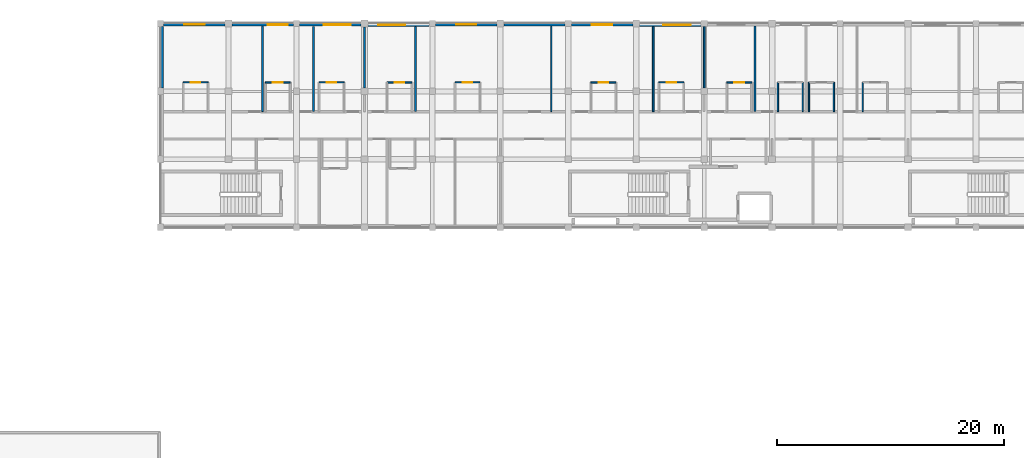
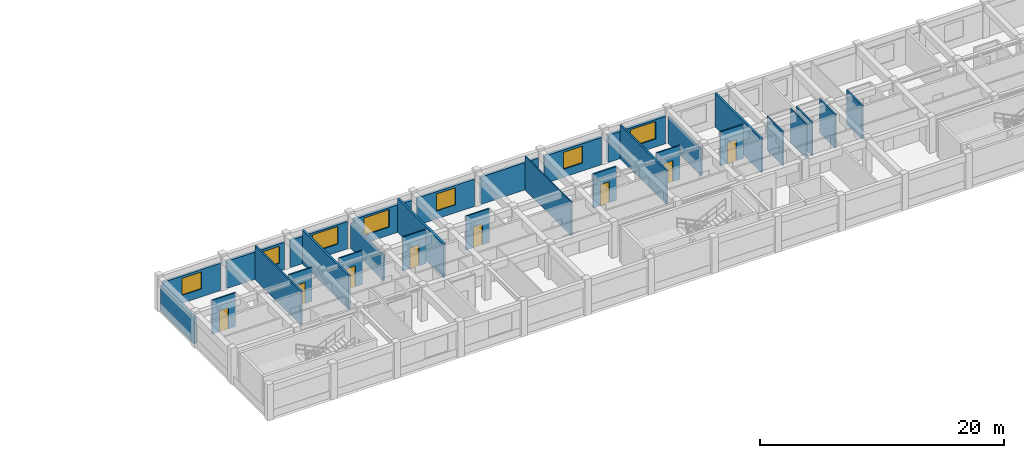
# One storey, part 10 of 25: 30 walls, 8 doors, 7 windows, 15 openings.
"""IFC4 building model written with IfcOpenShell, lengths in metres."""

from ifc_helpers import new_model, si_unit, direction, frame, frame_2d, origin, place, context, subcontext, project, spatial, rectangle, extrude, material, layer, layer_set, type_object, element, fill, save


model = new_model("IFC4")

# Units and contexts
model_context = context("Model", 3, precision=1e-05, world=origin(), true_north=direction((0.0, 1.0)))
body_context = subcontext(model_context, "Body", "Model", "MODEL_VIEW")
ifc_project = project(units=[si_unit("LENGTHUNIT", "METRE"), si_unit("AREAUNIT", "SQUARE_METRE"), si_unit("VOLUMEUNIT", "CUBIC_METRE"), si_unit("PLANEANGLEUNIT", "RADIAN"), si_unit("MASSUNIT", "GRAM", prefix="KILO"), si_unit("THERMODYNAMICTEMPERATUREUNIT", "KELVIN"), si_unit("POWERUNIT", "WATT")], contexts=[model_context])

# Site, building, storey
site_placement = place(None, origin())
site = spatial("IfcSite", under=ifc_project, at=site_placement, CompositionType="ELEMENT")
building_placement = place(site_placement, origin())
building = spatial("IfcBuilding", under=site, at=building_placement, Name="Phaisarnlok Congress Hotel", CompositionType="ELEMENT")
storey_placement = place(building_placement, frame((0.0, 0.0, 24.60009765625)))
storey = spatial("IfcBuildingStorey", under=building, at=storey_placement, Name="L05", CompositionType="ELEMENT", Elevation=24.60009765625)

# Wall, opening, window
ifc_material_1 = material(Name="Concrete C40/50", Category="concrete")
ifc_layer_1 = layer(ifc_material_1, 0.2099609375, Name="Concrete C40/50")
ifc_layer_set_1 = layer_set([ifc_layer_1], Name="Concrete C40/50")
wall_type_1 = type_object("IfcWallType", Name="WL-EXT-210", PredefinedType="SOLIDWALL", material=ifc_layer_set_1)
wall_1_placement = place(storey_placement, frame((95.695068359375, 125.89501953125, 0.0), z_axis=(0.0, 0.0, 1.0), x_axis=(-1.0, 0.0, 0.0)))
wall_1 = element("IfcWall", 1, at=wall_1_placement, inside=storey, type_object=wall_type_1, Name="Exterior wall EW-07 (L05)", PredefinedType="SOLIDWALL", context=body_context, shape_type="SweptSolid", body=[
    extrude(rectangle(XDim=5.4150390625, YDim=0.2099609375, at=frame_2d((2.70751953125, 0.0))), origin(), (0.0, 0.0, 1.0), 2.72998046875),
])
opening_1_placement = place(wall_1_placement, frame((1.806884765625, 0.0, 0.800048828125)))
opening_1 = element("IfcOpeningElement", 2, at=opening_1_placement, cuts=wall_1, Name="Opening W-10", PredefinedType="OPENING", context=body_context, shape_type="SweptSolid", body=[
    extrude(rectangle(XDim=1.800048828125, YDim=1.699951171875, at=frame_2d((0.89990234375, 0.85009765625))), frame((0.0, 0.114990234375, 0.0), z_axis=(0.0, -1.0, 0.0), x_axis=(1.0, 0.0, 0.0)), (0.0, 0.0, 1.0), 0.22998046875),
])
ifc_material_2 = material(Name="Thermally Broken Aluminium & Low-E Double Glazing", Category="aluminium")
window_type_1 = type_object("IfcWindowType", Name="WIN-POD-1800", PartitioningType="SINGLE_PANEL", PredefinedType="WINDOW", material=ifc_material_2)
window_1_placement = place(opening_1_placement, origin())
window_1 = element("IfcWindow", 3, at=window_1_placement, inside=storey, type_object=window_type_1, Name="Guestroom window W-10 (L05)", OverallHeight=1.699951171875, OverallWidth=1.800048828125, PartitioningType="SINGLE_PANEL", PredefinedType="WINDOW", context=body_context, shape_type="SweptSolid", body=[
    extrude(rectangle(XDim=1.800048828125, YDim=1.699951171875, at=frame_2d((0.89990234375, 0.85009765625))), frame((0.0, 0.030029296875, 0.0), z_axis=(0.0, -1.0, 0.0), x_axis=(1.0, 0.0, 0.0)), (0.0, 0.0, 1.0), 0.06005859375),
])
fill(opening_1, window_1)

wall_2_placement = place(storey_placement, frame((71.695068359375, 125.89501953125, 0.0), z_axis=(0.0, 0.0, 1.0), x_axis=(-1.0, 0.0, 0.0)))
wall_2 = element("IfcWall", 4, at=wall_2_placement, inside=storey, type_object=wall_type_1, Name="Exterior wall EW-07 (L05)", PredefinedType="SOLIDWALL", context=body_context, shape_type="SweptSolid", body=[
    extrude(rectangle(XDim=5.4150390625, YDim=0.2099609375, at=frame_2d((2.70751953125, 0.0))), origin(), (0.0, 0.0, 1.0), 2.72998046875),
])
opening_2_placement = place(wall_2_placement, frame((1.806884765625, 0.0, 0.800048828125)))
opening_2 = element("IfcOpeningElement", 5, at=opening_2_placement, cuts=wall_2, Name="Opening W-10", PredefinedType="OPENING", context=body_context, shape_type="SweptSolid", body=[
    extrude(rectangle(XDim=1.800048828125, YDim=1.699951171875, at=frame_2d((0.89990234375, 0.85009765625))), frame((0.0, 0.114990234375, 0.0), z_axis=(0.0, -1.0, 0.0), x_axis=(1.0, 0.0, 0.0)), (0.0, 0.0, 1.0), 0.22998046875),
])
window_2_placement = place(opening_2_placement, origin())
window_2 = element("IfcWindow", 6, at=window_2_placement, inside=storey, type_object=window_type_1, Name="Guestroom window W-10 (L05)", OverallHeight=1.699951171875, OverallWidth=1.800048828125, PartitioningType="SINGLE_PANEL", PredefinedType="WINDOW", context=body_context, shape_type="SweptSolid", body=[
    extrude(rectangle(XDim=1.800048828125, YDim=1.699951171875, at=frame_2d((0.89990234375, 0.85009765625))), frame((0.0, 0.030029296875, 0.0), z_axis=(0.0, -1.0, 0.0), x_axis=(1.0, 0.0, 0.0)), (0.0, 0.0, 1.0), 0.06005859375),
])
fill(opening_2, window_2)

# Wall
ifc_layer_2 = layer(ifc_material_1, 0.22998046875, Name="Concrete C40/50")
ifc_layer_set_2 = layer_set([ifc_layer_2], Name="Concrete C40/50")
wall_type_2 = type_object("IfcWallType", Name="WL-EXT-230", PredefinedType="SOLIDWALL", material=ifc_layer_set_2)
wall_3_placement = place(storey_placement, frame((101.719970703125, 125.885009765625, 0.0), z_axis=(0.0, 0.0, 1.0), x_axis=(-1.0, 0.0, 0.0)))
element("IfcWall", 7, at=wall_3_placement, inside=storey, type_object=wall_type_2, Name="Exterior wall EW-06 (L05)", PredefinedType="SOLIDWALL", context=body_context, shape_type="SweptSolid", body=[
    extrude(rectangle(XDim=5.4150390625, YDim=0.22998046875, at=frame_2d((2.70751953125, 0.0))), origin(), (0.0, 0.0, 1.0), 2.72998046875),
])

# Wall, opening, window
wall_4_placement = place(storey_placement, frame((77.719970703125, 125.885009765625, 0.0), z_axis=(0.0, 0.0, 1.0), x_axis=(-1.0, 0.0, 0.0)))
wall_4 = element("IfcWall", 8, at=wall_4_placement, inside=storey, type_object=wall_type_2, Name="Exterior wall EW-06 (L05)", PredefinedType="SOLIDWALL", context=body_context, shape_type="SweptSolid", body=[
    extrude(rectangle(XDim=5.4150390625, YDim=0.22998046875, at=frame_2d((2.70751953125, 0.0))), origin(), (0.0, 0.0, 1.0), 2.72998046875),
])
opening_3_placement = place(wall_4_placement, frame((0.469970703125, 0.0, 0.800048828125)))
opening_3 = element("IfcOpeningElement", 9, at=opening_3_placement, cuts=wall_4, Name="Opening W-10", PredefinedType="OPENING", context=body_context, shape_type="SweptSolid", body=[
    extrude(rectangle(XDim=1.800048828125, YDim=1.699951171875, at=frame_2d((0.89990234375, 0.85009765625))), frame((0.0, 0.125, 0.0), z_axis=(0.0, -1.0, 0.0), x_axis=(1.0, 0.0, 0.0)), (0.0, 0.0, 1.0), 0.25),
])
window_3_placement = place(opening_3_placement, origin())
window_3 = element("IfcWindow", 10, at=window_3_placement, inside=storey, type_object=window_type_1, Name="Guestroom window W-10 (L05)", OverallHeight=1.699951171875, OverallWidth=1.800048828125, PartitioningType="SINGLE_PANEL", PredefinedType="WINDOW", context=body_context, shape_type="SweptSolid", body=[
    extrude(rectangle(XDim=1.800048828125, YDim=1.699951171875, at=frame_2d((0.89990234375, 0.85009765625))), frame((0.0, 0.030029296875, 0.0), z_axis=(0.0, -1.0, 0.0), x_axis=(1.0, 0.0, 0.0)), (0.0, 0.0, 1.0), 0.06005859375),
])
fill(opening_3, window_3)

ifc_layer_3 = layer(ifc_material_1, 0.25, Name="Concrete C40/50")
ifc_layer_set_3 = layer_set([ifc_layer_3], Name="Concrete C40/50")
wall_type_3 = type_object("IfcWallType", Name="WL-EXT-250", PredefinedType="SOLIDWALL", material=ifc_layer_set_3)
wall_5_placement = place(storey_placement, frame((107.695068359375, 125.875, 0.0), z_axis=(0.0, 0.0, 1.0), x_axis=(-1.0, 0.0, 0.0)))
wall_5 = element("IfcWall", 11, at=wall_5_placement, inside=storey, type_object=wall_type_3, Name="Exterior wall EW-05 (L05)", PredefinedType="SOLIDWALL", context=body_context, shape_type="SweptSolid", body=[
    extrude(rectangle(XDim=5.4150390625, YDim=0.25, at=frame_2d((2.70751953125, 0.0))), origin(), (0.0, 0.0, 1.0), 2.72998046875),
])
opening_4_placement = place(wall_5_placement, frame((1.806884765625, 0.0, 0.800048828125)))
opening_4 = element("IfcOpeningElement", 12, at=opening_4_placement, cuts=wall_5, Name="Opening W-10", PredefinedType="OPENING", context=body_context, shape_type="SweptSolid", body=[
    extrude(rectangle(XDim=1.800048828125, YDim=1.699951171875, at=frame_2d((0.89990234375, 0.85009765625))), frame((0.0, 0.135009765625, 0.0), z_axis=(0.0, -1.0, 0.0), x_axis=(1.0, 0.0, 0.0)), (0.0, 0.0, 1.0), 0.27001953125),
])
window_4_placement = place(opening_4_placement, origin())
window_4 = element("IfcWindow", 13, at=window_4_placement, inside=storey, type_object=window_type_1, Name="Guestroom window W-10 (L05)", OverallHeight=1.699951171875, OverallWidth=1.800048828125, PartitioningType="SINGLE_PANEL", PredefinedType="WINDOW", context=body_context, shape_type="SweptSolid", body=[
    extrude(rectangle(XDim=1.800048828125, YDim=1.699951171875, at=frame_2d((0.89990234375, 0.85009765625))), frame((0.0, 0.030029296875, 0.0), z_axis=(0.0, -1.0, 0.0), x_axis=(1.0, 0.0, 0.0)), (0.0, 0.0, 1.0), 0.06005859375),
])
fill(opening_4, window_4)

wall_6_placement = place(storey_placement, frame((83.695068359375, 125.875, 0.0), z_axis=(0.0, 0.0, 1.0), x_axis=(-1.0, 0.0, 0.0)))
wall_6 = element("IfcWall", 14, at=wall_6_placement, inside=storey, type_object=wall_type_3, Name="Exterior wall EW-05 (L05)", PredefinedType="SOLIDWALL", context=body_context, shape_type="SweptSolid", body=[
    extrude(rectangle(XDim=5.4150390625, YDim=0.25, at=frame_2d((2.70751953125, 0.0))), origin(), (0.0, 0.0, 1.0), 2.72998046875),
])
opening_5_placement = place(wall_6_placement, frame((0.906982421875, 0.0, 0.800048828125)))
opening_5 = element("IfcOpeningElement", 15, at=opening_5_placement, cuts=wall_6, Name="Opening W-01", PredefinedType="OPENING", context=body_context, shape_type="SweptSolid", body=[
    extrude(rectangle(XDim=2.39990234375, YDim=1.75, at=frame_2d((1.199951171875, 0.875))), frame((0.0, 0.135009765625, 0.0), z_axis=(0.0, -1.0, 0.0), x_axis=(1.0, 0.0, 0.0)), (0.0, 0.0, 1.0), 0.27001953125),
])
window_type_2 = type_object("IfcWindowType", Name="WIN-HOTEL-2400", PartitioningType="SINGLE_PANEL", PredefinedType="WINDOW", material=ifc_material_2)
window_5_placement = place(opening_5_placement, origin())
window_5 = element("IfcWindow", 16, at=window_5_placement, inside=storey, type_object=window_type_2, Name="Guestroom window W-01 (L05)", OverallHeight=1.75, OverallWidth=2.39990234375, PartitioningType="SINGLE_PANEL", PredefinedType="WINDOW", context=body_context, shape_type="SweptSolid", body=[
    extrude(rectangle(XDim=2.39990234375, YDim=1.75, at=frame_2d((1.199951171875, 0.875))), frame((0.0, 0.030029296875, 0.0), z_axis=(0.0, -1.0, 0.0), x_axis=(1.0, 0.0, 0.0)), (0.0, 0.0, 1.0), 0.06005859375),
])
fill(opening_5, window_5)

ifc_layer_4 = layer(ifc_material_1, 0.27001953125, Name="Concrete C40/50")
ifc_layer_set_4 = layer_set([ifc_layer_4], Name="Concrete C40/50")
wall_type_4 = type_object("IfcWallType", Name="WL-EXT-270", PredefinedType="SOLIDWALL", material=ifc_layer_set_4)
wall_7_placement = place(storey_placement, frame((113.719970703125, 125.864990234375, 0.0), z_axis=(0.0, 0.0, 1.0), x_axis=(-1.0, 0.0, 0.0)))
wall_7 = element("IfcWall", 17, at=wall_7_placement, inside=storey, type_object=wall_type_4, Name="Exterior wall EW-04 (L05)", PredefinedType="SOLIDWALL", context=body_context, shape_type="SweptSolid", body=[
    extrude(rectangle(XDim=5.4150390625, YDim=0.27001953125, at=frame_2d((2.70751953125, 0.0))), origin(), (0.0, 0.0, 1.0), 2.72998046875),
])
opening_6_placement = place(wall_7_placement, frame((0.919921875, 0.0, 0.800048828125)))
opening_6 = element("IfcOpeningElement", 18, at=opening_6_placement, cuts=wall_7, Name="Opening W-01", PredefinedType="OPENING", context=body_context, shape_type="SweptSolid", body=[
    extrude(rectangle(XDim=2.39990234375, YDim=1.75, at=frame_2d((1.199951171875, 0.875))), frame((0.0, 0.14501953125, 0.0), z_axis=(0.0, -1.0, 0.0), x_axis=(1.0, 0.0, 0.0)), (0.0, 0.0, 1.0), 0.2900390625),
])
window_6_placement = place(opening_6_placement, origin())
window_6 = element("IfcWindow", 19, at=window_6_placement, inside=storey, type_object=window_type_2, Name="Guestroom window W-01 (L05)", OverallHeight=1.75, OverallWidth=2.39990234375, PartitioningType="SINGLE_PANEL", PredefinedType="WINDOW", context=body_context, shape_type="SweptSolid", body=[
    extrude(rectangle(XDim=2.39990234375, YDim=1.75, at=frame_2d((1.199951171875, 0.875))), frame((0.0, 0.030029296875, 0.0), z_axis=(0.0, -1.0, 0.0), x_axis=(1.0, 0.0, 0.0)), (0.0, 0.0, 1.0), 0.06005859375),
])
fill(opening_6, window_6)

wall_8_placement = place(storey_placement, frame((89.719970703125, 125.864990234375, 0.0), z_axis=(0.0, 0.0, 1.0), x_axis=(-1.0, 0.0, 0.0)))
wall_8 = element("IfcWall", 20, at=wall_8_placement, inside=storey, type_object=wall_type_4, Name="Exterior wall EW-04 (L05)", PredefinedType="SOLIDWALL", context=body_context, shape_type="SweptSolid", body=[
    extrude(rectangle(XDim=5.4150390625, YDim=0.27001953125, at=frame_2d((2.70751953125, 0.0))), origin(), (0.0, 0.0, 1.0), 2.72998046875),
])
opening_7_placement = place(wall_8_placement, frame((2.10791015625, 0.0, 0.800048828125)))
opening_7 = element("IfcOpeningElement", 21, at=opening_7_placement, cuts=wall_8, Name="Opening W-01", PredefinedType="OPENING", context=body_context, shape_type="SweptSolid", body=[
    extrude(rectangle(XDim=2.39990234375, YDim=1.75, at=frame_2d((1.199951171875, 0.875))), frame((0.0, 0.14501953125, 0.0), z_axis=(0.0, -1.0, 0.0), x_axis=(1.0, 0.0, 0.0)), (0.0, 0.0, 1.0), 0.2900390625),
])
window_7_placement = place(opening_7_placement, origin())
window_7 = element("IfcWindow", 22, at=window_7_placement, inside=storey, type_object=window_type_2, Name="Guestroom window W-01 (L05)", OverallHeight=1.75, OverallWidth=2.39990234375, PartitioningType="SINGLE_PANEL", PredefinedType="WINDOW", context=body_context, shape_type="SweptSolid", body=[
    extrude(rectangle(XDim=2.39990234375, YDim=1.75, at=frame_2d((1.199951171875, 0.875))), frame((0.0, 0.030029296875, 0.0), z_axis=(0.0, -1.0, 0.0), x_axis=(1.0, 0.0, 0.0)), (0.0, 0.0, 1.0), 0.06005859375),
])
fill(opening_7, window_7)

# Walls
wall_9_placement = place(storey_placement, frame((66.135009765625, 125.719970703125, 0.0), z_axis=(0.0, 0.0, 1.0), x_axis=(0.0, -1.0, 0.0)))
element("IfcWall", 23, at=wall_9_placement, inside=storey, type_object=wall_type_4, Name="Exterior wall EW-04 (L05)", PredefinedType="SOLIDWALL", context=body_context, shape_type="SweptSolid", body=[
    extrude(rectangle(XDim=5.43994140625, YDim=0.27001953125, at=frame_2d((2.719970703125, 0.0))), origin(), (0.0, 0.0, 1.0), 2.579833984375),
])
ifc_material_3 = material(Name="Service Riser Shaftwall Partition", Category="gypsum")
ifc_layer_5 = layer(ifc_material_3, 0.10498046875, Name="Service Riser Shaftwall Partition")
ifc_layer_set_5 = layer_set([ifc_layer_5], Name="Service Riser Shaftwall Partition")
wall_type_5 = type_object("IfcWallType", Name="WL-INT-105", PredefinedType="PARTITIONING", material=ifc_layer_set_5)
wall_10_placement = place(storey_placement, frame((100.5, 118.199951171875, 0.0), z_axis=(0.0, 0.0, 1.0), x_axis=(0.0, 1.0, 0.0)))
element("IfcWall", 24, at=wall_10_placement, inside=storey, type_object=wall_type_5, Name="Interior partition wall IW-08 (L05)", PredefinedType="PARTITIONING", context=body_context, shape_type="SweptSolid", body=[
    extrude(rectangle(XDim=7.56494140625, YDim=0.10498046875, at=frame_2d((3.782470703125, 0.0))), origin(), (0.0, 0.0, 1.0), 3.3798828125),
])
ifc_material_4 = material(Name="Lightweight Metal-Stud Gypsum Partition", Category="gypsum")
ifc_layer_6 = layer(ifc_material_4, 0.1201171875, Name="Lightweight Metal-Stud Gypsum Partition")
ifc_layer_set_6 = layer_set([ifc_layer_6], Name="Lightweight Metal-Stud Gypsum Partition")
wall_type_6 = type_object("IfcWallType", Name="WL-INT-120", PredefinedType="PARTITIONING", material=ifc_layer_set_6)
for number, where, z_axis, x_axis, name in (
    (25, (122.699951171875, 118.199951171875, 0.0), (0.0, 0.0, 1.0), (0.0, 1.0, 0.0), "Interior partition wall IW-07 (L05)"),
    (26, (123.25, 118.199951171875, 0.0), (0.0, 0.0, 1.0), (0.0, 1.0, 0.0), "Interior partition wall IW-07 (L05)"),
    (27, (125.449951171875, 118.199951171875, 0.0), (0.0, 0.0, 1.0), (0.0, 1.0, 0.0), "Interior partition wall IW-07 (L05)"),
    (28, (128.0, 118.199951171875, 0.0), (0.0, 0.0, 1.0), (0.0, 1.0, 0.0), "Interior partition wall IW-07 (L05)"),
):
    element("IfcWall", number, at=place(storey_placement, frame(where, z_axis=z_axis, x_axis=x_axis)), inside=storey, type_object=wall_type_6, Name=name, PredefinedType="PARTITIONING", context=body_context, shape_type="SweptSolid", body=[
        extrude(rectangle(XDim=2.60009765625, YDim=0.1201171875, at=frame_2d((1.300048828125, 0.0))), origin(), (0.0, 0.0, 1.0), 3.3798828125),
    ])

# Wall, opening, door
wall_11_placement = place(storey_placement, frame((68.0, 120.800048828125, 0.0), z_axis=(0.0, 0.0, 1.0), x_axis=(1.0, 0.0, 0.0)))
wall_11 = element("IfcWall", 29, at=wall_11_placement, inside=storey, type_object=wall_type_6, Name="Interior partition wall IW-07 (L05)", PredefinedType="PARTITIONING", context=body_context, shape_type="SweptSolid", body=[
    extrude(rectangle(XDim=2.199951171875, YDim=0.1201171875, at=frame_2d((1.10009765625, 0.0))), origin(), (0.0, 0.0, 1.0), 3.3798828125),
])
opening_8_placement = place(wall_11_placement, frame((0.675048828125, 0.0, 0.0)))
opening_8 = element("IfcOpeningElement", 30, at=opening_8_placement, cuts=wall_11, Name="Opening D-0147", PredefinedType="OPENING", context=body_context, shape_type="SweptSolid", body=[
    extrude(rectangle(XDim=0.85009765625, YDim=2.10009765625, at=frame_2d((0.425048828125, 1.050048828125))), frame((0.0, 0.070068359375, 0.0), z_axis=(0.0, -1.0, 0.0), x_axis=(1.0, 0.0, 0.0)), (0.0, 0.0, 1.0), 0.14013671875),
])
ifc_material_5 = material(Name="Moisture-Resistant Lacquered Timber", Category="wood")
door_type = type_object("IfcDoorType", Name="DR-BATH-850", OperationType="NOTDEFINED", PredefinedType="DOOR", material=ifc_material_5)
door_1_placement = place(opening_8_placement, origin())
door_1 = element("IfcDoor", 31, at=door_1_placement, inside=storey, type_object=door_type, Name="Interior door D-0147 (L05)", OperationType="SINGLE_SWING_LEFT", OverallHeight=2.10009765625, OverallWidth=0.85009765625, PredefinedType="DOOR", context=body_context, shape_type="SweptSolid", body=[
    extrude(rectangle(XDim=0.85009765625, YDim=2.10009765625, at=frame_2d((0.425048828125, 1.050048828125))), frame((0.0, 0.02490234375, 0.0), z_axis=(0.0, -1.0, 0.0), x_axis=(1.0, 0.0, 0.0)), (0.0, 0.0, 1.0), 0.050048828125),
])
fill(opening_8, door_1)

wall_12_placement = place(storey_placement, frame((80.0, 120.800048828125, 0.0), z_axis=(0.0, 0.0, 1.0), x_axis=(1.0, 0.0, 0.0)))
wall_12 = element("IfcWall", 32, at=wall_12_placement, inside=storey, type_object=wall_type_6, Name="Interior partition wall IW-07 (L05)", PredefinedType="PARTITIONING", context=body_context, shape_type="SweptSolid", body=[
    extrude(rectangle(XDim=2.199951171875, YDim=0.1201171875, at=frame_2d((1.10009765625, 0.0))), origin(), (0.0, 0.0, 1.0), 3.3798828125),
])
opening_9_placement = place(wall_12_placement, frame((0.675048828125, 0.0, 0.0)))
opening_9 = element("IfcOpeningElement", 33, at=opening_9_placement, cuts=wall_12, Name="Opening D-0151", PredefinedType="OPENING", context=body_context, shape_type="SweptSolid", body=[
    extrude(rectangle(XDim=0.85009765625, YDim=2.10009765625, at=frame_2d((0.425048828125, 1.050048828125))), frame((0.0, 0.070068359375, 0.0), z_axis=(0.0, -1.0, 0.0), x_axis=(1.0, 0.0, 0.0)), (0.0, 0.0, 1.0), 0.14013671875),
])
door_2_placement = place(opening_9_placement, origin())
door_2 = element("IfcDoor", 34, at=door_2_placement, inside=storey, type_object=door_type, Name="Interior door D-0151 (L05)", OperationType="SINGLE_SWING_LEFT", OverallHeight=2.10009765625, OverallWidth=0.85009765625, PredefinedType="DOOR", context=body_context, shape_type="SweptSolid", body=[
    extrude(rectangle(XDim=0.85009765625, YDim=2.10009765625, at=frame_2d((0.425048828125, 1.050048828125))), frame((0.0, 0.02490234375, 0.0), z_axis=(0.0, -1.0, 0.0), x_axis=(1.0, 0.0, 0.0)), (0.0, 0.0, 1.0), 0.050048828125),
])
fill(opening_9, door_2)

wall_13_placement = place(storey_placement, frame((92.0, 120.800048828125, 0.0), z_axis=(0.0, 0.0, 1.0), x_axis=(1.0, 0.0, 0.0)))
wall_13 = element("IfcWall", 35, at=wall_13_placement, inside=storey, type_object=wall_type_6, Name="Interior partition wall IW-07 (L05)", PredefinedType="PARTITIONING", context=body_context, shape_type="SweptSolid", body=[
    extrude(rectangle(XDim=2.199951171875, YDim=0.1201171875, at=frame_2d((1.10009765625, 0.0))), origin(), (0.0, 0.0, 1.0), 3.3798828125),
])
opening_10_placement = place(wall_13_placement, frame((0.675048828125, 0.0, 0.0)))
opening_10 = element("IfcOpeningElement", 36, at=opening_10_placement, cuts=wall_13, Name="Opening D-0155", PredefinedType="OPENING", context=body_context, shape_type="SweptSolid", body=[
    extrude(rectangle(XDim=0.85009765625, YDim=2.10009765625, at=frame_2d((0.425048828125, 1.050048828125))), frame((0.0, 0.070068359375, 0.0), z_axis=(0.0, -1.0, 0.0), x_axis=(1.0, 0.0, 0.0)), (0.0, 0.0, 1.0), 0.14013671875),
])
door_3_placement = place(opening_10_placement, origin())
door_3 = element("IfcDoor", 37, at=door_3_placement, inside=storey, type_object=door_type, Name="Interior door D-0155 (L05)", OperationType="SINGLE_SWING_LEFT", OverallHeight=2.10009765625, OverallWidth=0.85009765625, PredefinedType="DOOR", context=body_context, shape_type="SweptSolid", body=[
    extrude(rectangle(XDim=0.85009765625, YDim=2.10009765625, at=frame_2d((0.425048828125, 1.050048828125))), frame((0.0, 0.02490234375, 0.0), z_axis=(0.0, -1.0, 0.0), x_axis=(1.0, 0.0, 0.0)), (0.0, 0.0, 1.0), 0.050048828125),
])
fill(opening_10, door_3)

wall_14_placement = place(storey_placement, frame((110.0, 120.800048828125, 0.0), z_axis=(0.0, 0.0, 1.0), x_axis=(1.0, 0.0, 0.0)))
wall_14 = element("IfcWall", 38, at=wall_14_placement, inside=storey, type_object=wall_type_6, Name="Interior partition wall IW-07 (L05)", PredefinedType="PARTITIONING", context=body_context, shape_type="SweptSolid", body=[
    extrude(rectangle(XDim=2.199951171875, YDim=0.1201171875, at=frame_2d((1.10009765625, 0.0))), origin(), (0.0, 0.0, 1.0), 3.3798828125),
])
opening_11_placement = place(wall_14_placement, frame((0.675048828125, 0.0, 0.0)))
opening_11 = element("IfcOpeningElement", 39, at=opening_11_placement, cuts=wall_14, Name="Opening D-0159", PredefinedType="OPENING", context=body_context, shape_type="SweptSolid", body=[
    extrude(rectangle(XDim=0.85009765625, YDim=2.10009765625, at=frame_2d((0.425048828125, 1.050048828125))), frame((0.0, 0.070068359375, 0.0), z_axis=(0.0, -1.0, 0.0), x_axis=(1.0, 0.0, 0.0)), (0.0, 0.0, 1.0), 0.14013671875),
])
door_4_placement = place(opening_11_placement, origin())
door_4 = element("IfcDoor", 40, at=door_4_placement, inside=storey, type_object=door_type, Name="Interior door D-0159 (L05)", OperationType="SINGLE_SWING_LEFT", OverallHeight=2.10009765625, OverallWidth=0.85009765625, PredefinedType="DOOR", context=body_context, shape_type="SweptSolid", body=[
    extrude(rectangle(XDim=0.85009765625, YDim=2.10009765625, at=frame_2d((0.425048828125, 1.050048828125))), frame((0.0, 0.02490234375, 0.0), z_axis=(0.0, -1.0, 0.0), x_axis=(1.0, 0.0, 0.0)), (0.0, 0.0, 1.0), 0.050048828125),
])
fill(opening_11, door_4)

# Wall
ifc_material_6 = material(Name="Moisture-Resistant Gypsum Partition", Category="gypsum")
ifc_layer_7 = layer(ifc_material_6, 0.135009765625, Name="Moisture-Resistant Gypsum Partition")
ifc_layer_set_7 = layer_set([ifc_layer_7], Name="Moisture-Resistant Gypsum Partition")
wall_type_7 = type_object("IfcWallType", Name="WL-INT-135", PredefinedType="PARTITIONING", material=ifc_layer_set_7)
wall_15_placement = place(storey_placement, frame((120.5, 118.199951171875, 0.0), z_axis=(0.0, 0.0, 1.0), x_axis=(0.0, 1.0, 0.0)))
element("IfcWall", 41, at=wall_15_placement, inside=storey, type_object=wall_type_7, Name="Interior partition wall IW-06 (L05)", PredefinedType="PARTITIONING", context=body_context, shape_type="SweptSolid", body=[
    extrude(rectangle(XDim=2.60009765625, YDim=0.135009765625, at=frame_2d((1.300048828125, 0.0))), origin(), (0.0, 0.0, 1.0), 3.3798828125),
])

# Wall, opening, door
wall_16_placement = place(storey_placement, frame((75.25, 120.800048828125, 0.0), z_axis=(0.0, 0.0, 1.0), x_axis=(1.0, 0.0, 0.0)))
wall_16 = element("IfcWall", 42, at=wall_16_placement, inside=storey, type_object=wall_type_7, Name="Interior partition wall IW-06 (L05)", PredefinedType="PARTITIONING", context=body_context, shape_type="SweptSolid", body=[
    extrude(rectangle(XDim=2.199951171875, YDim=0.135009765625, at=frame_2d((1.10009765625, 0.0))), origin(), (0.0, 0.0, 1.0), 3.3798828125),
])
opening_12_placement = place(wall_16_placement, frame((0.675048828125, 0.0, 0.0)))
opening_12 = element("IfcOpeningElement", 43, at=opening_12_placement, cuts=wall_16, Name="Opening D-0149", PredefinedType="OPENING", context=body_context, shape_type="SweptSolid", body=[
    extrude(rectangle(XDim=0.85009765625, YDim=2.10009765625, at=frame_2d((0.425048828125, 1.050048828125))), frame((0.0, 0.07763671875, 0.0), z_axis=(0.0, -1.0, 0.0), x_axis=(1.0, 0.0, 0.0)), (0.0, 0.0, 1.0), 0.155029296875),
])
door_5_placement = place(opening_12_placement, origin())
door_5 = element("IfcDoor", 44, at=door_5_placement, inside=storey, type_object=door_type, Name="Interior door D-0149 (L05)", OperationType="SINGLE_SWING_LEFT", OverallHeight=2.10009765625, OverallWidth=0.85009765625, PredefinedType="DOOR", context=body_context, shape_type="SweptSolid", body=[
    extrude(rectangle(XDim=0.85009765625, YDim=2.10009765625, at=frame_2d((0.425048828125, 1.050048828125))), frame((0.0, 0.02490234375, 0.0), z_axis=(0.0, -1.0, 0.0), x_axis=(1.0, 0.0, 0.0)), (0.0, 0.0, 1.0), 0.050048828125),
])
fill(opening_12, door_5)

wall_17_placement = place(storey_placement, frame((86.0, 120.800048828125, 0.0), z_axis=(0.0, 0.0, 1.0), x_axis=(1.0, 0.0, 0.0)))
wall_17 = element("IfcWall", 45, at=wall_17_placement, inside=storey, type_object=wall_type_7, Name="Interior partition wall IW-06 (L05)", PredefinedType="PARTITIONING", context=body_context, shape_type="SweptSolid", body=[
    extrude(rectangle(XDim=2.199951171875, YDim=0.135009765625, at=frame_2d((1.10009765625, 0.0))), origin(), (0.0, 0.0, 1.0), 3.3798828125),
])
opening_13_placement = place(wall_17_placement, frame((0.675048828125, 0.0, 0.0)))
opening_13 = element("IfcOpeningElement", 46, at=opening_13_placement, cuts=wall_17, Name="Opening D-0153", PredefinedType="OPENING", context=body_context, shape_type="SweptSolid", body=[
    extrude(rectangle(XDim=0.85009765625, YDim=2.10009765625, at=frame_2d((0.425048828125, 1.050048828125))), frame((0.0, 0.07763671875, 0.0), z_axis=(0.0, -1.0, 0.0), x_axis=(1.0, 0.0, 0.0)), (0.0, 0.0, 1.0), 0.155029296875),
])
door_6_placement = place(opening_13_placement, origin())
door_6 = element("IfcDoor", 47, at=door_6_placement, inside=storey, type_object=door_type, Name="Interior door D-0153 (L05)", OperationType="SINGLE_SWING_LEFT", OverallHeight=2.10009765625, OverallWidth=0.85009765625, PredefinedType="DOOR", context=body_context, shape_type="SweptSolid", body=[
    extrude(rectangle(XDim=0.85009765625, YDim=2.10009765625, at=frame_2d((0.425048828125, 1.050048828125))), frame((0.0, 0.02490234375, 0.0), z_axis=(0.0, -1.0, 0.0), x_axis=(1.0, 0.0, 0.0)), (0.0, 0.0, 1.0), 0.050048828125),
])
fill(opening_13, door_6)

wall_18_placement = place(storey_placement, frame((104.0, 120.800048828125, 0.0), z_axis=(0.0, 0.0, 1.0), x_axis=(1.0, 0.0, 0.0)))
wall_18 = element("IfcWall", 48, at=wall_18_placement, inside=storey, type_object=wall_type_7, Name="Interior partition wall IW-06 (L05)", PredefinedType="PARTITIONING", context=body_context, shape_type="SweptSolid", body=[
    extrude(rectangle(XDim=2.199951171875, YDim=0.135009765625, at=frame_2d((1.10009765625, 0.0))), origin(), (0.0, 0.0, 1.0), 3.3798828125),
])
opening_14_placement = place(wall_18_placement, frame((0.675048828125, 0.0, 0.0)))
opening_14 = element("IfcOpeningElement", 49, at=opening_14_placement, cuts=wall_18, Name="Opening D-0157", PredefinedType="OPENING", context=body_context, shape_type="SweptSolid", body=[
    extrude(rectangle(XDim=0.85009765625, YDim=2.10009765625, at=frame_2d((0.425048828125, 1.050048828125))), frame((0.0, 0.07763671875, 0.0), z_axis=(0.0, -1.0, 0.0), x_axis=(1.0, 0.0, 0.0)), (0.0, 0.0, 1.0), 0.155029296875),
])
door_7_placement = place(opening_14_placement, origin())
door_7 = element("IfcDoor", 50, at=door_7_placement, inside=storey, type_object=door_type, Name="Interior door D-0157 (L05)", OperationType="SINGLE_SWING_LEFT", OverallHeight=2.10009765625, OverallWidth=0.85009765625, PredefinedType="DOOR", context=body_context, shape_type="SweptSolid", body=[
    extrude(rectangle(XDim=0.85009765625, YDim=2.10009765625, at=frame_2d((0.425048828125, 1.050048828125))), frame((0.0, 0.02490234375, 0.0), z_axis=(0.0, -1.0, 0.0), x_axis=(1.0, 0.0, 0.0)), (0.0, 0.0, 1.0), 0.050048828125),
])
fill(opening_14, door_7)

wall_19_placement = place(storey_placement, frame((116.0, 120.800048828125, 0.0), z_axis=(0.0, 0.0, 1.0), x_axis=(1.0, 0.0, 0.0)))
wall_19 = element("IfcWall", 51, at=wall_19_placement, inside=storey, type_object=wall_type_7, Name="Interior partition wall IW-06 (L05)", PredefinedType="PARTITIONING", context=body_context, shape_type="SweptSolid", body=[
    extrude(rectangle(XDim=2.199951171875, YDim=0.135009765625, at=frame_2d((1.10009765625, 0.0))), origin(), (0.0, 0.0, 1.0), 3.3798828125),
])
opening_15_placement = place(wall_19_placement, frame((0.675048828125, 0.0, 0.0)))
opening_15 = element("IfcOpeningElement", 52, at=opening_15_placement, cuts=wall_19, Name="Opening D-0161", PredefinedType="OPENING", context=body_context, shape_type="SweptSolid", body=[
    extrude(rectangle(XDim=0.85009765625, YDim=2.10009765625, at=frame_2d((0.425048828125, 1.050048828125))), frame((0.0, 0.07763671875, 0.0), z_axis=(0.0, -1.0, 0.0), x_axis=(1.0, 0.0, 0.0)), (0.0, 0.0, 1.0), 0.155029296875),
])
door_8_placement = place(opening_15_placement, origin())
door_8 = element("IfcDoor", 53, at=door_8_placement, inside=storey, type_object=door_type, Name="Interior door D-0161 (L05)", OperationType="SINGLE_SWING_LEFT", OverallHeight=2.10009765625, OverallWidth=0.85009765625, PredefinedType="DOOR", context=body_context, shape_type="SweptSolid", body=[
    extrude(rectangle(XDim=0.85009765625, YDim=2.10009765625, at=frame_2d((0.425048828125, 1.050048828125))), frame((0.0, 0.02490234375, 0.0), z_axis=(0.0, -1.0, 0.0), x_axis=(1.0, 0.0, 0.0)), (0.0, 0.0, 1.0), 0.050048828125),
])
fill(opening_15, door_8)

# Walls
ifc_material_7 = material(Name="Acoustic Gypsum Board & Mineral Wool", Category="gypsum")
ifc_layer_8 = layer(ifc_material_7, 0.14990234375, Name="Acoustic Gypsum Board & Mineral Wool")
ifc_layer_set_8 = layer_set([ifc_layer_8], Name="Acoustic Gypsum Board & Mineral Wool")
wall_type_8 = type_object("IfcWallType", Name="WL-INT-150", PredefinedType="PARTITIONING", material=ifc_layer_set_8)
wall_20_placement = place(storey_placement, frame((75.0, 118.199951171875, 0.0), z_axis=(0.0, 0.0, 1.0), x_axis=(0.0, 1.0, 0.0)))
element("IfcWall", 54, at=wall_20_placement, inside=storey, type_object=wall_type_8, Name="Interior partition wall IW-05 (L05)", PredefinedType="PARTITIONING", context=body_context, shape_type="SweptSolid", body=[
    extrude(rectangle(XDim=7.56494140625, YDim=0.14990234375, at=frame_2d((3.782470703125, 0.0))), origin(), (0.0, 0.0, 1.0), 3.3798828125),
])
wall_21_placement = place(storey_placement, frame((84.0, 120.304931640625, 0.0), z_axis=(0.0, 0.0, 1.0), x_axis=(0.0, 1.0, 0.0)))
element("IfcWall", 55, at=wall_21_placement, inside=storey, type_object=wall_type_8, Name="Interior partition wall IW-05 (L05)", PredefinedType="PARTITIONING", context=body_context, shape_type="SweptSolid", body=[
    extrude(rectangle(XDim=5.39013671875, YDim=0.14990234375, at=frame_2d((2.695068359375, 0.0))), origin(), (0.0, 0.0, 1.0), 2.579833984375),
])
wall_22_placement = place(storey_placement, frame((109.5, 118.199951171875, 0.0), z_axis=(0.0, 0.0, 1.0), x_axis=(0.0, 1.0, 0.0)))
element("IfcWall", 56, at=wall_22_placement, inside=storey, type_object=wall_type_8, Name="Interior partition wall IW-05 (L05)", PredefinedType="PARTITIONING", context=body_context, shape_type="SweptSolid", body=[
    extrude(rectangle(XDim=7.525146484375, YDim=0.14990234375, at=frame_2d((3.7626953125, 0.0))), origin(), (0.0, 0.0, 1.0), 3.3798828125),
])
ifc_material_8 = material(Name="Double-Stud Acoustic Gypsum Partition", Category="gypsum")
ifc_layer_9 = layer(ifc_material_8, 0.159912109375, Name="Double-Stud Acoustic Gypsum Partition")
ifc_layer_set_9 = layer_set([ifc_layer_9], Name="Double-Stud Acoustic Gypsum Partition")
wall_type_9 = type_object("IfcWallType", Name="WL-INT-160", PredefinedType="PARTITIONING", material=ifc_layer_set_9)
wall_23_placement = place(storey_placement, frame((114.0, 120.280029296875, 0.0), z_axis=(0.0, 0.0, 1.0), x_axis=(0.0, 1.0, 0.0)))
element("IfcWall", 57, at=wall_23_placement, inside=storey, type_object=wall_type_9, Name="Interior partition wall IW-04 (L05)", PredefinedType="PARTITIONING", context=body_context, shape_type="SweptSolid", body=[
    extrude(rectangle(XDim=5.43994140625, YDim=0.159912109375, at=frame_2d((2.719970703125, 0.0))), origin(), (0.0, 0.0, 1.0), 2.679931640625),
])
ifc_material_9 = material(Name="Autoclaved Aerated Concrete Block", Category="concrete")
ifc_layer_10 = layer(ifc_material_9, 0.179931640625, Name="Autoclaved Aerated Concrete Block")
ifc_layer_set_10 = layer_set([ifc_layer_10], Name="Autoclaved Aerated Concrete Block")
wall_type_10 = type_object("IfcWallType", Name="WL-INT-180", PredefinedType="PARTITIONING", material=ifc_layer_set_10)
wall_24_placement = place(storey_placement, frame((79.5, 118.199951171875, 0.0), z_axis=(0.0, 0.0, 1.0), x_axis=(0.0, 1.0, 0.0)))
element("IfcWall", 58, at=wall_24_placement, inside=storey, type_object=wall_type_10, Name="Interior partition wall IW-03 (L05)", PredefinedType="PARTITIONING", context=body_context, shape_type="SweptSolid", body=[
    extrude(rectangle(XDim=7.545166015625, YDim=0.179931640625, at=frame_2d((3.7724609375, 0.0))), origin(), (0.0, 0.0, 1.0), 3.3798828125),
])
wall_25_placement = place(storey_placement, frame((118.5, 118.199951171875, 0.0), z_axis=(0.0, 0.0, 1.0), x_axis=(0.0, 1.0, 0.0)))
element("IfcWall", 59, at=wall_25_placement, inside=storey, type_object=wall_type_10, Name="Interior partition wall IW-03 (L05)", PredefinedType="PARTITIONING", context=body_context, shape_type="SweptSolid", body=[
    extrude(rectangle(XDim=7.5849609375, YDim=0.179931640625, at=frame_2d((3.79248046875, 0.0))), origin(), (0.0, 0.0, 1.0), 3.3798828125),
])
ifc_layer_11 = layer(ifc_material_9, 0.199951171875, Name="Autoclaved Aerated Concrete Block")
ifc_layer_set_11 = layer_set([ifc_layer_11], Name="Autoclaved Aerated Concrete Block")
wall_type_11 = type_object("IfcWallType", Name="WL-INT-200", PredefinedType="PARTITIONING", material=ifc_layer_set_11)
wall_26_placement = place(storey_placement, frame((88.5, 118.199951171875, 0.0), z_axis=(0.0, 0.0, 1.0), x_axis=(0.0, 1.0, 0.0)))
element("IfcWall", 60, at=wall_26_placement, inside=storey, type_object=wall_type_11, Name="Interior partition wall IW-02 (L05)", PredefinedType="PARTITIONING", context=body_context, shape_type="SweptSolid", body=[
    extrude(rectangle(XDim=7.525146484375, YDim=0.199951171875, at=frame_2d((3.7626953125, 0.0))), origin(), (0.0, 0.0, 1.0), 3.3798828125),
])

save(model, "model.ifc")
